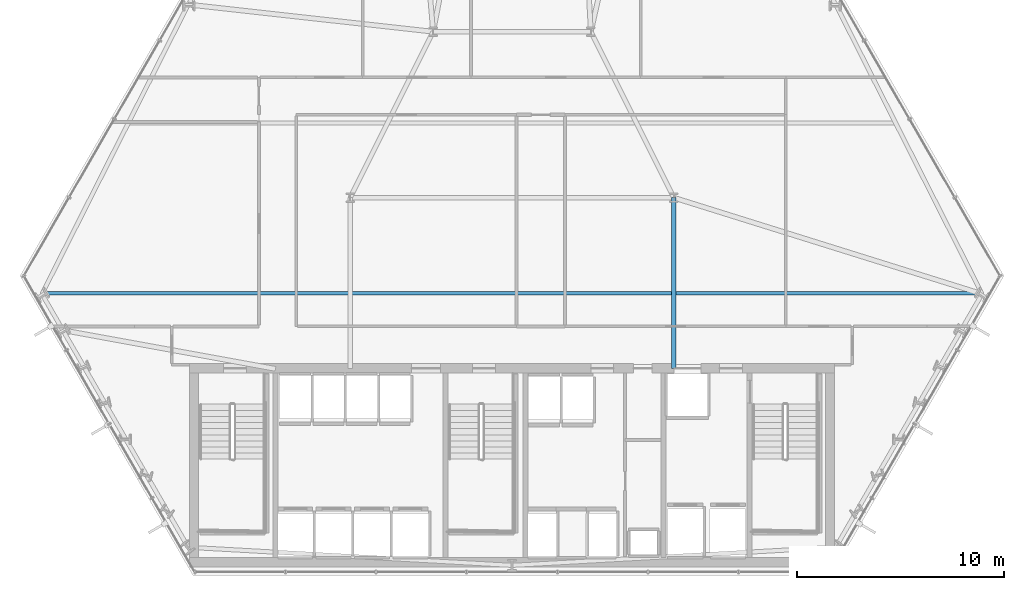
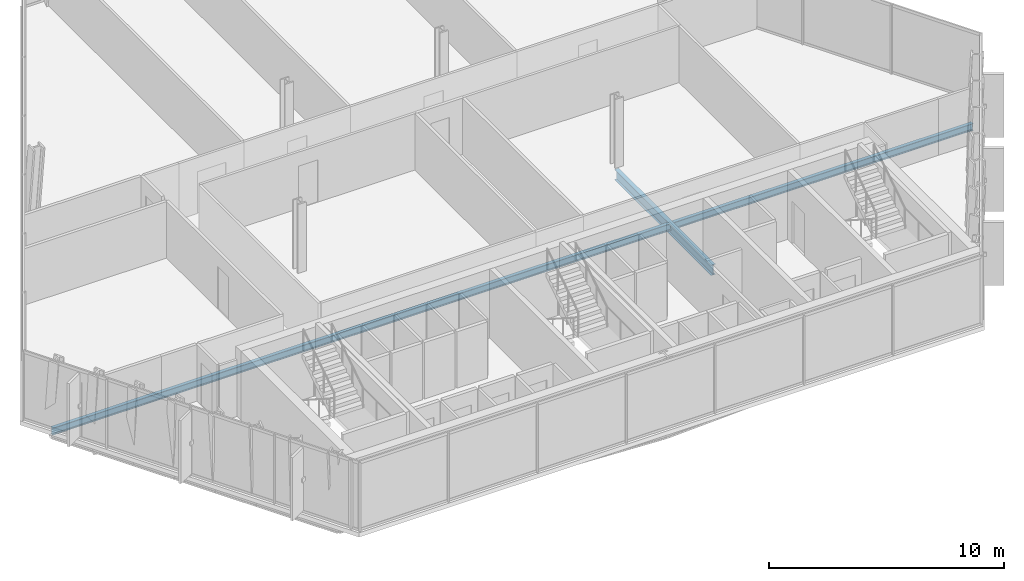
# One storey, part 9 of 33: 2 beams.
"""IFC4 building model written with IfcOpenShell, lengths in metres."""

from ifc_helpers import new_model, si_unit, direction, frame, origin, origin_2d, place, context, subcontext, project, spatial, i_section, extrude, material, material_profile, profile_set, type_object, element, save


model = new_model("IFC4")

# Units and contexts
model_context = context("Model", 3, precision=1e-05, world=origin(), true_north=direction((0.0, 1.0)))
body_context = subcontext(model_context, "Body", "Model", "MODEL_VIEW")
ifc_project = project(units=[si_unit("LENGTHUNIT", "METRE"), si_unit("AREAUNIT", "SQUARE_METRE"), si_unit("VOLUMEUNIT", "CUBIC_METRE"), si_unit("PLANEANGLEUNIT", "RADIAN"), si_unit("MASSUNIT", "GRAM", prefix="KILO")], contexts=[model_context])

# Site, building, storey
site_placement = place(None, origin())
site = spatial("IfcSite", under=ifc_project, at=site_placement, CompositionType="ELEMENT")
building_placement = place(site_placement, origin())
building = spatial("IfcBuilding", under=site, at=building_placement, Name="Ndaravel Arena Tower", CompositionType="ELEMENT")
storey_placement = place(building_placement, frame((0.0, 0.0, 43.60009765625)))
storey = spatial("IfcBuildingStorey", under=building, at=storey_placement, Name="L08", CompositionType="ELEMENT", Elevation=43.60009765625)

# Beams
ifc_material_1 = material(Name="Steel S355", Category="steel")
ifc_material_profile_1 = material_profile(ifc_material_1, i_section(OverallWidth=0.210693359375, OverallDepth=0.53955078125, WebThickness=0.01171875, FlangeThickness=0.018798828125, FilletRadius=0.0126953125, at=origin_2d()), Name="UB 533x210x109")
ifc_profile_set_1 = profile_set([ifc_material_profile_1], Name="Steel S355")
beam_type_1 = type_object("IfcBeamType", Name="BM-GIRD-UB533", PredefinedType="BEAM", material=ifc_profile_set_1)
beam_1_placement = place(storey_placement, frame((49.800048828125, 14.97998046875, -0.48974609375), z_axis=(0.0, 1.0, 0.0), x_axis=(-1.0, 0.0, 0.0)))
element("IfcBeam", 1, at=beam_1_placement, inside=storey, type_object=beam_type_1, Name="L08 Spine Link Girder SLG-02", PredefinedType="BEAM", context=body_context, shape_type="SweptSolid", body=[
    extrude(i_section(OverallWidth=0.210693359375, OverallDepth=0.53955078125, WebThickness=0.01171875, FlangeThickness=0.018798828125, FilletRadius=0.0126953125, at=origin_2d()), origin(), (0.0, 0.0, 1.0), 8.219970703125),
])
ifc_material_2 = material(Name="Steel S355", Category="steel")
ifc_material_profile_2 = material_profile(ifc_material_2, i_section(OverallWidth=0.169921875, OverallDepth=0.360107421875, WebThickness=0.008056640625, FlangeThickness=0.0126953125, FilletRadius=0.01806640625, at=origin_2d()), Name="IPE 360")
ifc_profile_set_2 = profile_set([ifc_material_profile_2], Name="Steel S355")
beam_type_2 = type_object("IfcBeamType", Name="BM-JOIST-IPE360", PredefinedType="JOIST", material=ifc_profile_set_2)
beam_2_placement = place(storey_placement, frame((19.3671875, 18.60009765625, -0.400146484375), z_axis=(1.0, 0.0, 0.0), x_axis=(0.0, 1.0, 0.0)))
element("IfcBeam", 2, at=beam_2_placement, inside=storey, type_object=beam_type_2, Name="L08 Composite Floor Joist FJ-01", PredefinedType="JOIST", context=body_context, shape_type="SweptSolid", body=[
    extrude(i_section(OverallWidth=0.169921875, OverallDepth=0.360107421875, WebThickness=0.008056640625, FlangeThickness=0.0126953125, FilletRadius=0.01806640625, at=origin_2d()), origin(), (0.0, 0.0, 1.0), 45.265625),
])

save(model, "model.ifc")
